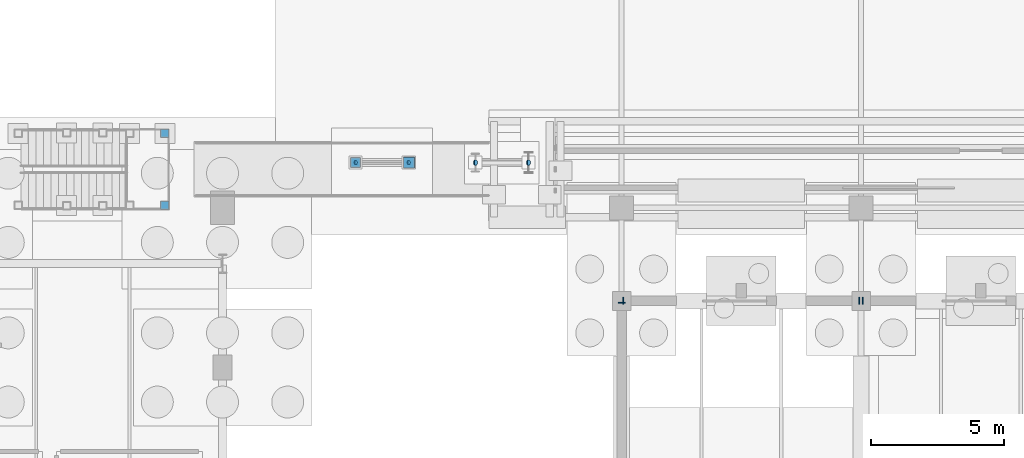
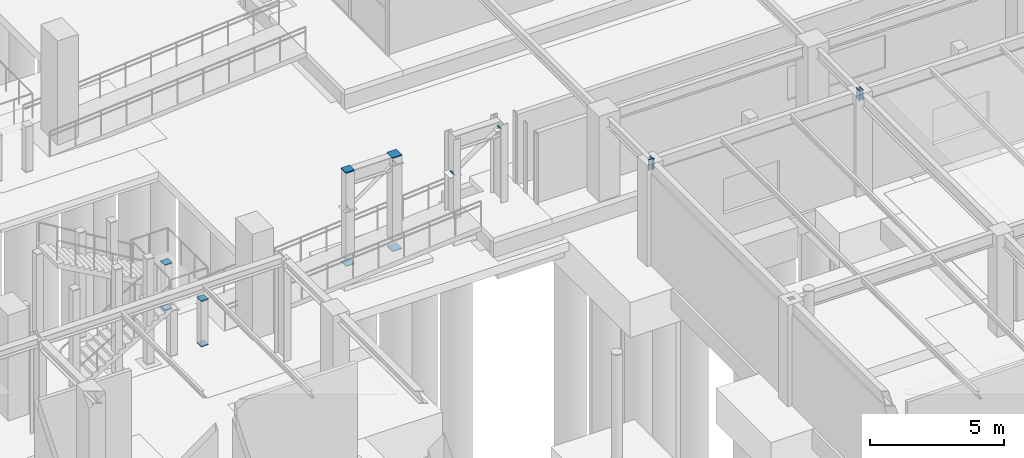
# One storey, part 136 of 160: 16 discrete accessories.
"""IFC4 building model written with IfcOpenShell, lengths in metres."""

from ifc_helpers import new_model, si_unit, direction, frame, origin, origin_2d, place, context, subcontext, project, spatial, rectangle, circle, extrude, material, element, save


model = new_model("IFC4")

# Units and contexts
model_context = context("Model", 3, precision=1e-05, world=origin(), true_north=direction((0.0, 1.0)))
body_context = subcontext(model_context, "Body", "Model", "MODEL_VIEW")
ifc_project = project(units=[si_unit("LENGTHUNIT", "METRE"), si_unit("AREAUNIT", "SQUARE_METRE"), si_unit("VOLUMEUNIT", "CUBIC_METRE"), si_unit("PLANEANGLEUNIT", "RADIAN"), si_unit("MASSUNIT", "GRAM", prefix="KILO")], contexts=[model_context])

# Site, building, storey
site_placement = place(None, origin())
site = spatial("IfcSite", under=ifc_project, at=site_placement, CompositionType="ELEMENT")
building_placement = place(site_placement, origin())
building = spatial("IfcBuilding", under=site, at=building_placement, Name="Marlcrest Central Station", CompositionType="ELEMENT")
storey_placement = place(building_placement, origin())
storey = spatial("IfcBuildingStorey", under=building, at=storey_placement, Name="L00", CompositionType="ELEMENT", Elevation=0.0)

# Discrete accessories
ifc_material = material(Name="Steel S355", Category="steel")
for number, where, z_axis, x_axis, name in (
    (1, (144.045166015625, 33.0, 4.3798828125), (1.0, 0.0, 0.0), (0.0, 1.0, 0.0), "endcap-bm-SP-02-L00-00774-s"),
    (2, (152.9150390625, 33.0, 4.3798828125), (1.0, 0.0, 0.0), (0.0, 1.0, 0.0), "endcap-bm-SP-02-L00-00774-e"),
    (3, (153.045166015625, 33.0, 4.3798828125), (1.0, 0.0, 0.0), (0.0, 1.0, 0.0), "endcap-bm-SP-02-L00-00775-s"),
    (4, (144.0, 32.9150390625, 4.3798828125), (0.0, 1.0, 0.0), (-1.0, 0.0, 0.0), "endcap-bm-SP-02-L00-00784-e"),
):
    element("IfcDiscreteAccessory", number, at=place(storey_placement, frame(where, z_axis=z_axis, x_axis=x_axis)), inside=storey, material=ifc_material, Name=name, ObjectType="END_CAP_PLATE", PredefinedType="BRACKET", context=body_context, shape_type="SweptSolid", body=[
        extrude(rectangle(XDim=0.26611328125, YDim=0.466064453125, at=origin_2d()), origin(), (0.0, 0.0, 1.0), 0.0400390625),
    ])
for number, where, z_axis, x_axis, name in (
    (5, (138.48779296875, 38.199951171875, 2.69140625), (0.819203731481, 0.0, 0.57350261231), (0.0, 1.0, 0.0), "endcap-mem-BF-08-L00-02554-s"),
    (6, (140.4794921875, 38.199951171875, 4.085693359375), (0.819203731481, 0.0, 0.57350261231), (0.0, 1.0, 0.0), "endcap-mem-BF-08-L00-02554-e"),
):
    element("IfcDiscreteAccessory", number, at=place(storey_placement, frame(where, z_axis=z_axis, x_axis=x_axis)), inside=storey, material=ifc_material, Name=name, ObjectType="END_CAP_PLATE", PredefinedType="BRACKET", context=body_context, shape_type="SweptSolid", body=[
        extrude(circle(Radius=0.104736328125, at=origin_2d()), origin(), (0.0, 0.0, 1.0), 0.0400390625),
    ])
for number, where, z_axis, x_axis, name in (
    (7, (134.0, 38.199951171875, 0.18505859375), (0.0, 0.0, 1.0), (1.0, 0.0, 0.0), "endcap-col-SC-20-L00-0937-s"),
    (8, (134.0, 38.199951171875, 4.425048828125), (0.0, 0.0, 1.0), (1.0, 0.0, 0.0), "endcap-col-SC-20-L00-0937-e"),
):
    element("IfcDiscreteAccessory", number, at=place(storey_placement, frame(where, z_axis=z_axis, x_axis=x_axis)), inside=storey, material=ifc_material, Name=name, ObjectType="END_CAP_PLATE", PredefinedType="BRACKET", context=body_context, shape_type="SweptSolid", body=[
        extrude(rectangle(XDim=0.365966796875, YDim=0.365966796875, at=origin_2d()), origin(), (0.0, 0.0, 1.0), 0.0400390625),
    ])
for number, where, z_axis, x_axis, name in (
    (9, (136.0, 38.199951171875, 0.18505859375), (0.0, 0.0, 1.0), (1.0, 0.0, 0.0), "endcap-col-SC-21-L00-0938-s"),
    (10, (136.0, 38.199951171875, 4.425048828125), (0.0, 0.0, 1.0), (1.0, 0.0, 0.0), "endcap-col-SC-21-L00-0938-e"),
):
    element("IfcDiscreteAccessory", number, at=place(storey_placement, frame(where, z_axis=z_axis, x_axis=x_axis)), inside=storey, material=ifc_material, Name=name, ObjectType="END_CAP_PLATE", PredefinedType="BRACKET", context=body_context, shape_type="SweptSolid", body=[
        extrude(rectangle(XDim=0.416015625, YDim=0.416015625, at=origin_2d()), origin(), (0.0, 0.0, 1.0), 0.0400390625),
    ])
for number, where, z_axis, x_axis, name in (
    (11, (133.98779296875, 38.199951171875, 2.69140625), (0.819203731481, 0.0, 0.57350261231), (0.0, 1.0, 0.0), "endcap-mem-BF-07-L00-02562-s"),
    (12, (135.9794921875, 38.199951171875, 4.085693359375), (0.819203731481, 0.0, 0.57350261231), (0.0, 1.0, 0.0), "endcap-mem-BF-07-L00-02562-e"),
):
    element("IfcDiscreteAccessory", number, at=place(storey_placement, frame(where, z_axis=z_axis, x_axis=x_axis)), inside=storey, material=ifc_material, Name=name, ObjectType="END_CAP_PLATE", PredefinedType="BRACKET", context=body_context, shape_type="SweptSolid", body=[
        extrude(circle(Radius=0.077880859375, at=origin_2d()), origin(), (0.0, 0.0, 1.0), 0.0400390625),
    ])
for number, where, z_axis, x_axis, name in (
    (13, (126.830078125, 36.60009765625, -0.014892578125), (0.0, 0.0, 1.0), (1.0, 0.0, 0.0), "endcap-stcol-0005-1268-366-s"),
    (14, (126.830078125, 36.60009765625, 2.05517578125), (0.0, 0.0, 1.0), (1.0, 0.0, 0.0), "endcap-stcol-0005-1268-366-e"),
    (15, (126.830078125, 39.300048828125, -0.014892578125), (0.0, 0.0, 1.0), (1.0, 0.0, 0.0), "endcap-stcol-0005-1268-393-s"),
    (16, (126.830078125, 39.300048828125, 2.05517578125), (0.0, 0.0, 1.0), (1.0, 0.0, 0.0), "endcap-stcol-0005-1268-393-e"),
):
    element("IfcDiscreteAccessory", number, at=place(storey_placement, frame(where, z_axis=z_axis, x_axis=x_axis)), inside=storey, material=ifc_material, Name=name, ObjectType="END_CAP_PLATE", PredefinedType="BRACKET", context=body_context, shape_type="SweptSolid", body=[
        extrude(rectangle(XDim=0.31591796875, YDim=0.31591796875, at=origin_2d()), origin(), (0.0, 0.0, 1.0), 0.0400390625),
    ])

save(model, "model.ifc")
